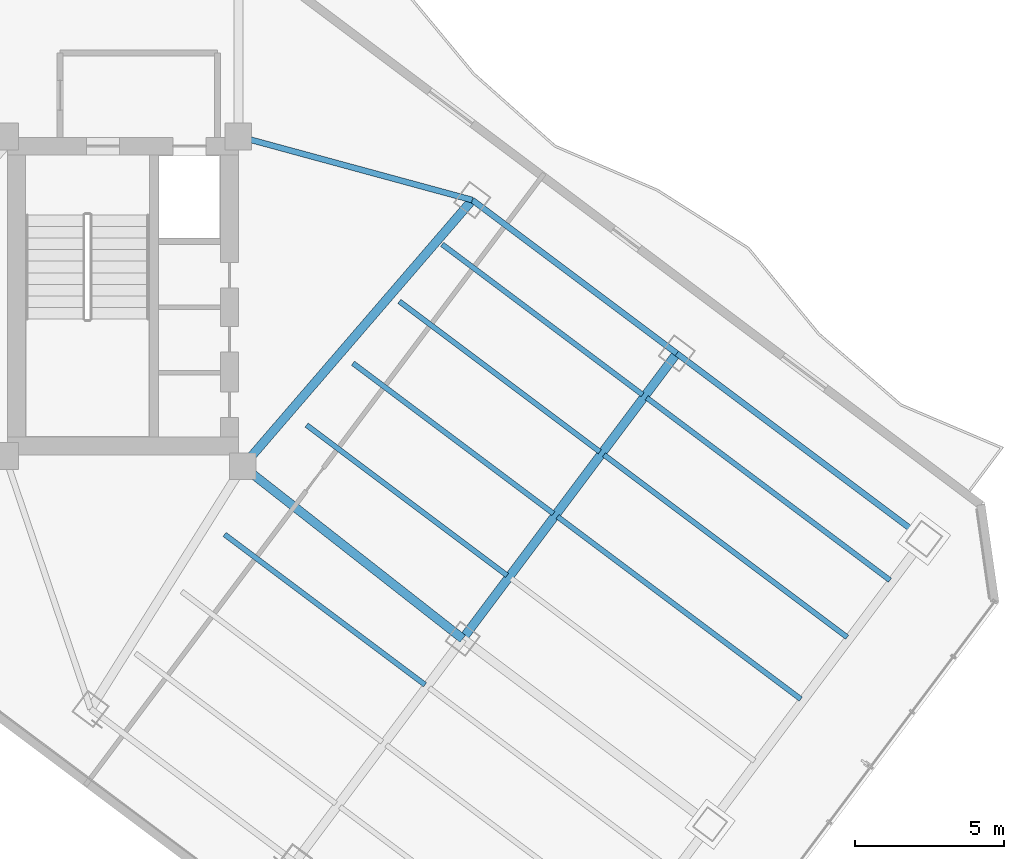
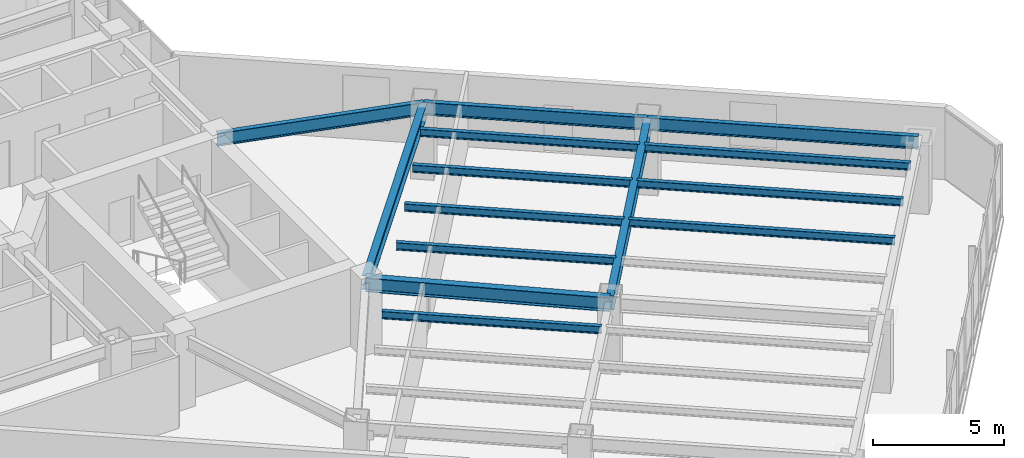
# One storey, part 11 of 29: 14 beams.
"""IFC4 building model written with IfcOpenShell, lengths in metres."""

from ifc_helpers import new_model, si_unit, direction, frame, origin, origin_2d, place, context, subcontext, project, spatial, i_section, extrude, material, material_profile, profile_set, type_object, element, save


model = new_model("IFC4")

# Units and contexts
model_context = context("Model", 3, precision=1e-05, world=origin(), true_north=direction((0.0, 1.0)))
body_context = subcontext(model_context, "Body", "Model", "MODEL_VIEW")
ifc_project = project(units=[si_unit("LENGTHUNIT", "METRE"), si_unit("AREAUNIT", "SQUARE_METRE"), si_unit("VOLUMEUNIT", "CUBIC_METRE"), si_unit("PLANEANGLEUNIT", "RADIAN"), si_unit("MASSUNIT", "GRAM", prefix="KILO")], contexts=[model_context])

# Site, building, storey
site_placement = place(None, origin())
site = spatial("IfcSite", under=ifc_project, at=site_placement, CompositionType="ELEMENT")
building_placement = place(site_placement, origin())
building = spatial("IfcBuilding", under=site, at=building_placement, Name="Hatsunagi Terrace Concourse", CompositionType="ELEMENT")
storey_placement = place(building_placement, frame((0.0, 0.0, 126.449951171875)))
storey = spatial("IfcBuildingStorey", under=building, at=storey_placement, Name="L33", CompositionType="ELEMENT", Elevation=126.449951171875)

# Beams
ifc_material_1 = material(Name="Steel SN490B", Category="steel")
ifc_material_profile_1 = material_profile(ifc_material_1, i_section(OverallWidth=0.175048828125, OverallDepth=0.35009765625, WebThickness=0.007080078125, FlangeThickness=0.010986328125, FilletRadius=0.012939453125, at=origin_2d()), Name="H-350x175x7x11")
ifc_profile_set_1 = profile_set([ifc_material_profile_1], Name="Steel SN490B")
beam_type_1 = type_object("IfcBeamType", Name="HotelJoist_H_350x175", PredefinedType="JOIST", material=ifc_profile_set_1)
for number, where, z_axis, x_axis, name in (
    (1, (43.18798828125, 21.908935546875, 3.175048828125), (0.800003475366, -0.59999536615, 0.0), (0.59999536615, 0.800003475366, 0.0), "Beam J-02 J-L33-SE-2-96"),
    (2, (45.947998046875, 25.589111328125, 3.175048828125), (0.799989573921, -0.600013901187, 0.0), (0.600013901187, 0.799989573921, 0.0), "Beam J-02 J-L33-SE-2-142"),
    (3, (47.508056640625, 27.6689453125, 3.175048828125), (0.800003475366, -0.59999536615, 0.0), (0.59999536615, 0.800003475366, 0.0), "Beam J-02 J-L33-SE-2-168"),
    (4, (49.068115234375, 29.7490234375, 3.175048828125), (0.799989573921, -0.600013901187, 0.0), (0.600013901187, 0.799989573921, 0.0), "Beam J-02 J-L33-SE-2-194"),
    (5, (50.508056640625, 31.6689453125, 3.175048828125), (0.800003475366, -0.59999536615, 0.0), (0.59999536615, 0.800003475366, 0.0), "Beam J-02 J-L33-SE-2-218"),
):
    element("IfcBeam", number, at=place(storey_placement, frame(where, z_axis=z_axis, x_axis=x_axis)), inside=storey, type_object=beam_type_1, Name=name, PredefinedType="JOIST", context=body_context, shape_type="SweptSolid", body=[
        extrude(i_section(OverallWidth=0.175048828125, OverallDepth=0.35009765625, WebThickness=0.007080078125, FlangeThickness=0.010986328125, FilletRadius=0.012939453125, at=origin_2d()), origin(), (0.0, 0.0, 1.0), 8.429931640625),
    ])
beam_1_placement = place(storey_placement, frame((54.387939453125, 22.509033203125, 3.175048828125), z_axis=(0.800005727586, -0.599992363142, 0.0), x_axis=(0.599992363142, 0.800005727586, 0.0)))
element("IfcBeam", 6, at=beam_1_placement, inside=storey, type_object=beam_type_1, Name="Beam J-02 J-L33-SE-3-168", PredefinedType="JOIST", context=body_context, shape_type="SweptSolid", body=[
    extrude(i_section(OverallWidth=0.175048828125, OverallDepth=0.35009765625, WebThickness=0.007080078125, FlangeThickness=0.010986328125, FilletRadius=0.012939453125, at=origin_2d()), origin(), (0.0, 0.0, 1.0), 10.22998046875),
])
beam_2_placement = place(storey_placement, frame((55.947998046875, 24.589111328125, 3.175048828125), z_axis=(0.799994272423, -0.600007636694, 0.0), x_axis=(0.600007636694, 0.799994272423, 0.0)))
element("IfcBeam", 7, at=beam_2_placement, inside=storey, type_object=beam_type_1, Name="Beam J-02 J-L33-SE-3-194", PredefinedType="JOIST", context=body_context, shape_type="SweptSolid", body=[
    extrude(i_section(OverallWidth=0.175048828125, OverallDepth=0.35009765625, WebThickness=0.007080078125, FlangeThickness=0.010986328125, FilletRadius=0.012939453125, at=origin_2d()), origin(), (0.0, 0.0, 1.0), 10.230224609375),
])
beam_3_placement = place(storey_placement, frame((57.387939453125, 26.509033203125, 3.175048828125), z_axis=(0.800005727586, -0.599992363142, 0.0), x_axis=(0.599992363142, 0.800005727586, 0.0)))
element("IfcBeam", 8, at=beam_3_placement, inside=storey, type_object=beam_type_1, Name="Beam J-02 J-L33-SE-3-218", PredefinedType="JOIST", context=body_context, shape_type="SweptSolid", body=[
    extrude(i_section(OverallWidth=0.175048828125, OverallDepth=0.35009765625, WebThickness=0.007080078125, FlangeThickness=0.010986328125, FilletRadius=0.012939453125, at=origin_2d()), origin(), (0.0, 0.0, 1.0), 10.22998046875),
])
ifc_material_2 = material(Name="Steel SN490B", Category="steel")
ifc_material_profile_2 = material_profile(ifc_material_2, i_section(OverallWidth=0.300048828125, OverallDepth=0.64990234375, WebThickness=0.012939453125, FlangeThickness=0.02197265625, FilletRadius=0.01806640625, at=origin_2d()), Name="H-650x300x13x22")
ifc_profile_set_2 = profile_set([ifc_material_profile_2], Name="Steel SN490B")
beam_type_2 = type_object("IfcBeamType", Name="OfficeLowGirder_H_650x300", PredefinedType="BEAM", material=ifc_profile_set_2)
beam_4_placement = place(storey_placement, frame((43.800048828125, 24.199951171875, 3.025146484375), z_axis=(0.652739101421, 0.757582777969, 0.0), x_axis=(-0.757582777969, 0.652739101421, 0.0)))
element("IfcBeam", 9, at=beam_4_placement, inside=storey, type_object=beam_type_2, Name="Beam G-05 BM-L33-SET-1B", PredefinedType="BEAM", context=body_context, shape_type="SweptSolid", body=[
    extrude(i_section(OverallWidth=0.300048828125, OverallDepth=0.64990234375, WebThickness=0.012939453125, FlangeThickness=0.02197265625, FilletRadius=0.01806640625, at=origin_2d()), origin(), (0.0, 0.0, 1.0), 11.8271484375),
])
beam_5_placement = place(storey_placement, frame((43.800048828125, 24.199951171875, 3.025146484375), z_axis=(0.787049441068, -0.616889923175, 0.0), x_axis=(0.616889923175, 0.787049441068, 0.0)))
element("IfcBeam", 10, at=beam_5_placement, inside=storey, type_object=beam_type_2, Name="Beam G-05 BM-L33-SE-M2", PredefinedType="BEAM", context=body_context, shape_type="SweptSolid", body=[
    extrude(i_section(OverallWidth=0.300048828125, OverallDepth=0.64990234375, WebThickness=0.012939453125, FlangeThickness=0.02197265625, FilletRadius=0.01806640625, at=origin_2d()), origin(), (0.0, 0.0, 1.0), 9.402099609375),
])
beam_6_placement = place(storey_placement, frame((51.199951171875, 18.39990234375, 3.025146484375), z_axis=(0.59999348959, 0.800004882766, 0.0), x_axis=(-0.800004882766, 0.59999348959, 0.0)))
element("IfcBeam", 11, at=beam_6_placement, inside=storey, type_object=beam_type_2, Name="Beam G-05 BM-L33-SET-2B", PredefinedType="BEAM", context=body_context, shape_type="SweptSolid", body=[
    extrude(i_section(OverallWidth=0.300048828125, OverallDepth=0.64990234375, WebThickness=0.012939453125, FlangeThickness=0.02197265625, FilletRadius=0.01806640625, at=origin_2d()), origin(), (0.0, 0.0, 1.0), 12.0),
])
ifc_material_3 = material(Name="Steel SN490B", Category="steel")
ifc_material_profile_3 = material_profile(ifc_material_3, i_section(OverallWidth=0.199951171875, OverallDepth=0.60009765625, WebThickness=0.010986328125, FlangeThickness=0.01708984375, FilletRadius=0.01806640625, at=origin_2d()), Name="H-600x200x11x17")
ifc_profile_set_3 = profile_set([ifc_material_profile_3], Name="Steel SN490B")
beam_type_3 = type_object("IfcBeamType", Name="PerimeterSpandrel_H_600x200", PredefinedType="SPANDREL", material=ifc_profile_set_3)
beam_7_placement = place(storey_placement, frame((43.64990234375, 35.300048828125, 3.050048828125), z_axis=(0.964958359286, -0.262403057994, 0.0), x_axis=(0.262403057994, 0.964958359286, 0.0)))
element("IfcBeam", 12, at=beam_7_placement, inside=storey, type_object=beam_type_3, Name="Beam SP-01 BM-L33-SE-NE0", PredefinedType="SPANDREL", context=body_context, shape_type="SweptSolid", body=[
    extrude(i_section(OverallWidth=0.199951171875, OverallDepth=0.60009765625, WebThickness=0.010986328125, FlangeThickness=0.01708984375, FilletRadius=0.01806640625, at=origin_2d()), origin(), (0.0, 0.0, 1.0), 8.156005859375),
])
beam_8_placement = place(storey_placement, frame((51.52001953125, 33.159912109375, 3.050048828125), z_axis=(0.8, -0.6, 0.0), x_axis=(0.6, 0.8, 0.0)))
element("IfcBeam", 13, at=beam_8_placement, inside=storey, type_object=beam_type_3, Name="Beam SP-01 BM-L33-SE-NE2", PredefinedType="SPANDREL", context=body_context, shape_type="SweptSolid", body=[
    extrude(i_section(OverallWidth=0.199951171875, OverallDepth=0.60009765625, WebThickness=0.010986328125, FlangeThickness=0.01708984375, FilletRadius=0.01806640625, at=origin_2d()), origin(), (0.0, 0.0, 1.0), 8.599853515625),
])
beam_9_placement = place(storey_placement, frame((58.39990234375, 28.0, 3.050048828125), z_axis=(0.800002816985, -0.599996244001, 0.0), x_axis=(0.599996244001, 0.800002816985, 0.0)))
element("IfcBeam", 14, at=beam_9_placement, inside=storey, type_object=beam_type_3, Name="Beam SP-01 BM-L33-SE-NE3", PredefinedType="SPANDREL", context=body_context, shape_type="SweptSolid", body=[
    extrude(i_section(OverallWidth=0.199951171875, OverallDepth=0.60009765625, WebThickness=0.010986328125, FlangeThickness=0.01708984375, FilletRadius=0.01806640625, at=origin_2d()), origin(), (0.0, 0.0, 1.0), 10.400146484375),
])

save(model, "model.ifc")
